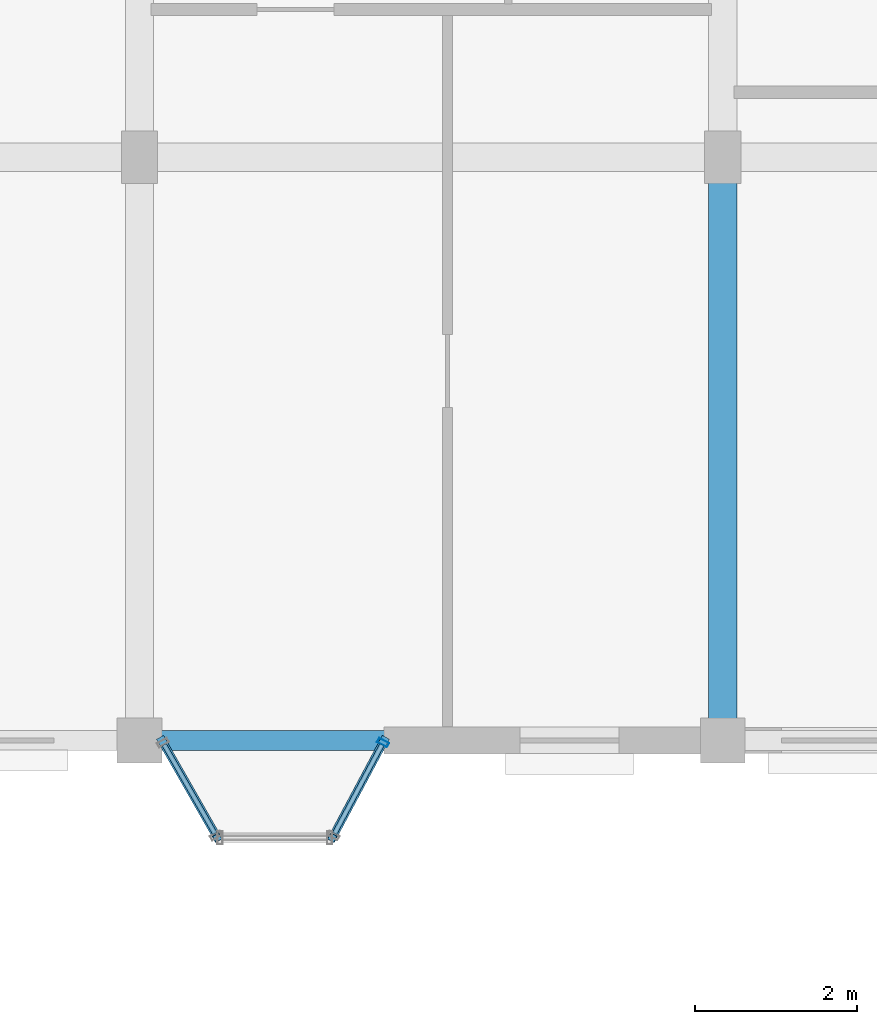
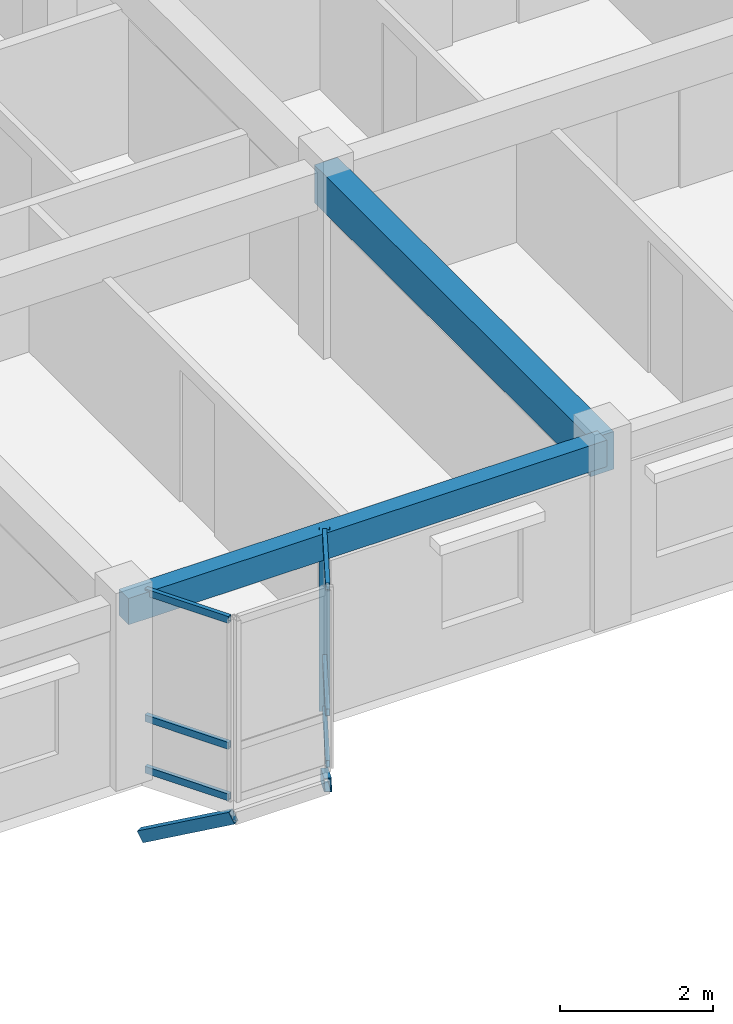
# One storey, part 29 of 75: 9 members, 2 beams, 2 elements without a shape of their own.
"""IFC4 building model written with IfcOpenShell, lengths in metres."""

from ifc_helpers import new_model, si_unit, direction, frame, origin, origin_2d, place, context, subcontext, project, spatial, rectangle, hollow_rectangle, extrude, material, layer, layer_set, material_profile, profile_set, type_object, element, aggregate, save


model = new_model("IFC4")

# Units and contexts
model_context = context("Model", 3, precision=1e-05, world=origin(), true_north=direction((0.0, 1.0)))
body_context = subcontext(model_context, "Body", "Model", "MODEL_VIEW")
ifc_project = project(units=[si_unit("LENGTHUNIT", "METRE"), si_unit("AREAUNIT", "SQUARE_METRE"), si_unit("VOLUMEUNIT", "CUBIC_METRE"), si_unit("PLANEANGLEUNIT", "RADIAN"), si_unit("MASSUNIT", "GRAM", prefix="KILO"), si_unit("THERMODYNAMICTEMPERATUREUNIT", "KELVIN"), si_unit("POWERUNIT", "WATT")], contexts=[model_context])

# Site, building, storey
site_placement = place(None, origin())
site = spatial("IfcSite", under=ifc_project, at=site_placement, CompositionType="ELEMENT")
building_placement = place(site_placement, origin())
building = spatial("IfcBuilding", under=site, at=building_placement, Name="Tavuni Mirador Residences", CompositionType="ELEMENT")
storey_placement = place(building_placement, frame((0.0, 0.0, 20.25)))
storey = spatial("IfcBuildingStorey", under=building, at=storey_placement, Name="L06", CompositionType="ELEMENT", Elevation=20.25)

# Beams
ifc_material_1 = material(Name="Precast concrete C40/50", Category="concrete")
ifc_material_profile_1 = material_profile(ifc_material_1, rectangle(XDim=0.35009765625, YDim=0.60009765625, at=origin_2d()), Name="PC 350x600", Category="concrete")
ifc_profile_set_1 = profile_set([ifc_material_profile_1], Name="Precast concrete C40/50")
beam_type_1 = type_object("IfcBeamType", Name="BT-B600", PredefinedType="BEAM", material=ifc_profile_set_1)
beam_1_placement = place(storey_placement, frame((25.199951171875, 144.0, 2.5849609375), z_axis=(0.0, 1.0, 0.0), x_axis=(-1.0, 0.0, 0.0)))
element("IfcBeam", 1, at=beam_1_placement, inside=storey, type_object=beam_type_1, Name="BMY-BLK-C-L06-02-00", PredefinedType="BEAM", context=body_context, shape_type="SweptSolid", body=[
    extrude(rectangle(XDim=0.35009765625, YDim=0.60009765625, at=origin_2d()), origin(), (0.0, 0.0, 1.0), 7.199951171875),
])
ifc_material_profile_2 = material_profile(ifc_material_1, rectangle(XDim=0.25, YDim=0.419921875, at=origin_2d()), Name="PC 250x420", Category="concrete")
ifc_profile_set_2 = profile_set([ifc_material_profile_2], Name="Precast concrete C40/50")
beam_type_2 = type_object("IfcBeamType", Name="BT-SP420", PredefinedType="SPANDREL", material=ifc_profile_set_2)
beam_2_placement = place(storey_placement, frame((18.0, 144.0, 2.675048828125), z_axis=(1.0, 0.0, 0.0), x_axis=(0.0, 1.0, 0.0)))
element("IfcBeam", 2, at=beam_2_placement, inside=storey, type_object=beam_type_2, Name="BMX-BLK-C-L06-01-00", PredefinedType="SPANDREL", context=body_context, shape_type="SweptSolid", body=[
    extrude(rectangle(XDim=0.25, YDim=0.419921875, at=origin_2d()), origin(), (0.0, 0.0, 1.0), 7.199951171875),
])

# Curtain wall, member
ifc_material_2 = material(Name="Anodised aluminium", Category="aluminium")
ifc_layer_1 = layer(ifc_material_2, 0.175048828125, Name="Anodised aluminium", Category="aluminium")
ifc_layer_set_1 = layer_set([ifc_layer_1], Name="Anodised aluminium")
curtain_wall_type_1 = type_object("IfcCurtainWallType", Name="CWT-MIR-C", PredefinedType="NOTDEFINED", material=ifc_layer_set_1)
curtain_wall_1_placement = place(storey_placement, origin())
curtain_wall_1 = element("IfcCurtainWall", 3, at=curtain_wall_1_placement, inside=storey, type_object=curtain_wall_type_1, Name="CW-MIR-C-S1-L06-M2", PredefinedType="NOTDEFINED")
ifc_material_profile_3 = material_profile(ifc_material_2, hollow_rectangle(XDim=0.06005859375, YDim=0.139892578125, WallThickness=0.00390625, at=origin_2d()), Name="ALU 60x140x4.0", Category="aluminium")
ifc_profile_set_3 = profile_set([ifc_material_profile_3], Name="Anodised aluminium")
member_type_1 = type_object("IfcMemberType", Name="CWM-140", PredefinedType="MULLION", material=ifc_profile_set_3)
member_1_placement = place(storey_placement, frame((21.005859375, 143.9736328125, 0.0), z_axis=(0.0, 0.0, 1.0), x_axis=(0.470588235296, 0.882352941175, 0.0)))
member_1 = element("IfcMember", 4, at=member_1_placement, type_object=member_type_1, Name="CW-03 mullion 2", PredefinedType="MULLION", context=body_context, shape_type="SweptSolid", body=[
    extrude(hollow_rectangle(XDim=0.06005859375, YDim=0.139892578125, WallThickness=0.00390625, at=origin_2d()), origin(), (0.0, 0.0, 1.0), 2.885009765625),
])

# Curtain wall, members
ifc_layer_2 = layer(ifc_material_2, 0.1650390625, Name="Anodised aluminium", Category="aluminium")
ifc_layer_set_2 = layer_set([ifc_layer_2], Name="Anodised aluminium")
curtain_wall_type_2 = type_object("IfcCurtainWallType", Name="CWT-MIR-A", PredefinedType="NOTDEFINED", material=ifc_layer_set_2)
curtain_wall_2_placement = place(storey_placement, origin())
curtain_wall_2 = element("IfcCurtainWall", 5, at=curtain_wall_2_placement, inside=storey, type_object=curtain_wall_type_2, Name="CW-MIR-C-S1-L06-M1", PredefinedType="NOTDEFINED")
ifc_material_profile_4 = material_profile(ifc_material_2, hollow_rectangle(XDim=0.06005859375, YDim=0.110107421875, WallThickness=0.00390625, at=origin_2d()), Name="ALU 60x110x4.0", Category="aluminium")
ifc_profile_set_4 = profile_set([ifc_material_profile_4], Name="Anodised aluminium")
member_type_2 = type_object("IfcMemberType", Name="CWT-110", PredefinedType="USERDEFINED", material=ifc_profile_set_4)
member_2_placement = place(storey_placement, frame((18.3046875, 143.947998046875, 0.030029296875), z_axis=(0.49568048457, -0.868504955205, 0.0), x_axis=(0.868504955205, 0.49568048457, 0.0)))
member_2 = element("IfcMember", 6, at=member_2_placement, type_object=member_type_2, Name="CW-01 transom 1.1", ObjectType="TRANSOM", PredefinedType="USERDEFINED", context=body_context, shape_type="SweptSolid", body=[
    extrude(hollow_rectangle(XDim=0.06005859375, YDim=0.110107421875, WallThickness=0.00390625, at=origin_2d()), origin(), (0.0, 0.0, 1.0), 1.261962890625),
])
member_3_placement = place(storey_placement, frame((18.3046875, 143.947998046875, 0.85009765625), z_axis=(0.49568048457, -0.868504955205, 0.0), x_axis=(0.868504955205, 0.49568048457, 0.0)))
member_3 = element("IfcMember", 7, at=member_3_placement, type_object=member_type_2, Name="CW-01 transom 1.2", ObjectType="TRANSOM", PredefinedType="USERDEFINED", context=body_context, shape_type="SweptSolid", body=[
    extrude(hollow_rectangle(XDim=0.06005859375, YDim=0.110107421875, WallThickness=0.00390625, at=origin_2d()), origin(), (0.0, 0.0, 1.0), 1.261962890625),
])
member_4_placement = place(storey_placement, frame((18.3046875, 143.947998046875, 2.85498046875), z_axis=(0.49568048457, -0.868504955205, 0.0), x_axis=(0.868504955205, 0.49568048457, 0.0)))
member_4 = element("IfcMember", 8, at=member_4_placement, type_object=member_type_2, Name="CW-01 transom 1.3", ObjectType="TRANSOM", PredefinedType="USERDEFINED", context=body_context, shape_type="SweptSolid", body=[
    extrude(hollow_rectangle(XDim=0.06005859375, YDim=0.110107421875, WallThickness=0.00390625, at=origin_2d()), origin(), (0.0, 0.0, 1.0), 1.261962890625),
])
aggregate(curtain_wall_2, [member_2, member_3, member_4])

# Member
member_5_placement = place(storey_placement, frame((20.408203125, 142.85302734375, 0.030029296875), z_axis=(0.470608675382, 0.882342039492, 0.0), x_axis=(-0.882342039492, 0.470608675382, 0.0)))
member_5 = element("IfcMember", 9, at=member_5_placement, type_object=member_type_2, Name="CW-03 transom 1.1", ObjectType="TRANSOM", PredefinedType="USERDEFINED", context=body_context, shape_type="SweptSolid", body=[
    extrude(hollow_rectangle(XDim=0.06005859375, YDim=0.110107421875, WallThickness=0.00390625, at=origin_2d()), origin(), (0.0, 0.0, 1.0), 1.239990234375),
])

member_6_placement = place(storey_placement, frame((20.408203125, 142.85302734375, 0.85009765625), z_axis=(0.470608675382, 0.882342039492, 0.0), x_axis=(-0.882342039492, 0.470608675382, 0.0)))
member_6 = element("IfcMember", 10, at=member_6_placement, type_object=member_type_2, Name="CW-03 transom 1.2", ObjectType="TRANSOM", PredefinedType="USERDEFINED", context=body_context, shape_type="SweptSolid", body=[
    extrude(hollow_rectangle(XDim=0.06005859375, YDim=0.110107421875, WallThickness=0.00390625, at=origin_2d()), origin(), (0.0, 0.0, 1.0), 1.239990234375),
])

member_7_placement = place(storey_placement, frame((20.408203125, 142.85302734375, 2.85498046875), z_axis=(0.470608675382, 0.882342039492, 0.0), x_axis=(-0.882342039492, 0.470608675382, 0.0)))
member_7 = element("IfcMember", 11, at=member_7_placement, type_object=member_type_2, Name="CW-03 transom 1.3", ObjectType="TRANSOM", PredefinedType="USERDEFINED", context=body_context, shape_type="SweptSolid", body=[
    extrude(hollow_rectangle(XDim=0.06005859375, YDim=0.110107421875, WallThickness=0.00390625, at=origin_2d()), origin(), (0.0, 0.0, 1.0), 1.239990234375),
])

aggregate(curtain_wall_1, [member_1, member_5, member_6, member_7])

# Members
ifc_material_3 = material(Name="Structural steel S355", Category="steel")
ifc_material_profile_5 = material_profile(ifc_material_3, hollow_rectangle(XDim=0.10009765625, YDim=0.179931640625, WallThickness=0.008056640625, at=origin_2d()), Name="RHS 180x100x8.0", Category="steel")
ifc_profile_set_5 = profile_set([ifc_material_profile_5], Name="Structural steel S355")
member_type_3 = type_object("IfcMemberType", Name="MT-BR-RHS180", PredefinedType="BRACE", material=ifc_profile_set_5)
member_8_placement = place(storey_placement, frame((18.27490234375, 144.0, -1.050048828125), z_axis=(0.431062666154, -0.755050963701, 0.494047588863), x_axis=(0.868438794398, 0.495796390047, 0.0)))
element("IfcMember", 12, at=member_8_placement, inside=storey, type_object=member_type_3, Name="MBRK-MIR-C-S1-L06-1", PredefinedType="BRACE", context=body_context, shape_type="SweptSolid", body=[
    extrude(hollow_rectangle(XDim=0.10009765625, YDim=0.179931640625, WallThickness=0.008056640625, at=origin_2d()), origin(), (0.0, 0.0, 1.0), 1.589111328125),
])
member_9_placement = place(storey_placement, frame((21.02001953125, 144.0, -1.050048828125), z_axis=(-0.4076288534, -0.764109769055, 0.499974978084), x_axis=(0.882303244255, -0.470681405175, 0.0)))
element("IfcMember", 13, at=member_9_placement, inside=storey, type_object=member_type_3, Name="MBRK-MIR-C-S1-L06-2", PredefinedType="BRACE", context=body_context, shape_type="SweptSolid", body=[
    extrude(hollow_rectangle(XDim=0.10009765625, YDim=0.179931640625, WallThickness=0.008056640625, at=origin_2d()), origin(), (0.0, 0.0, 1.0), 1.5703125),
])

save(model, "model.ifc")
